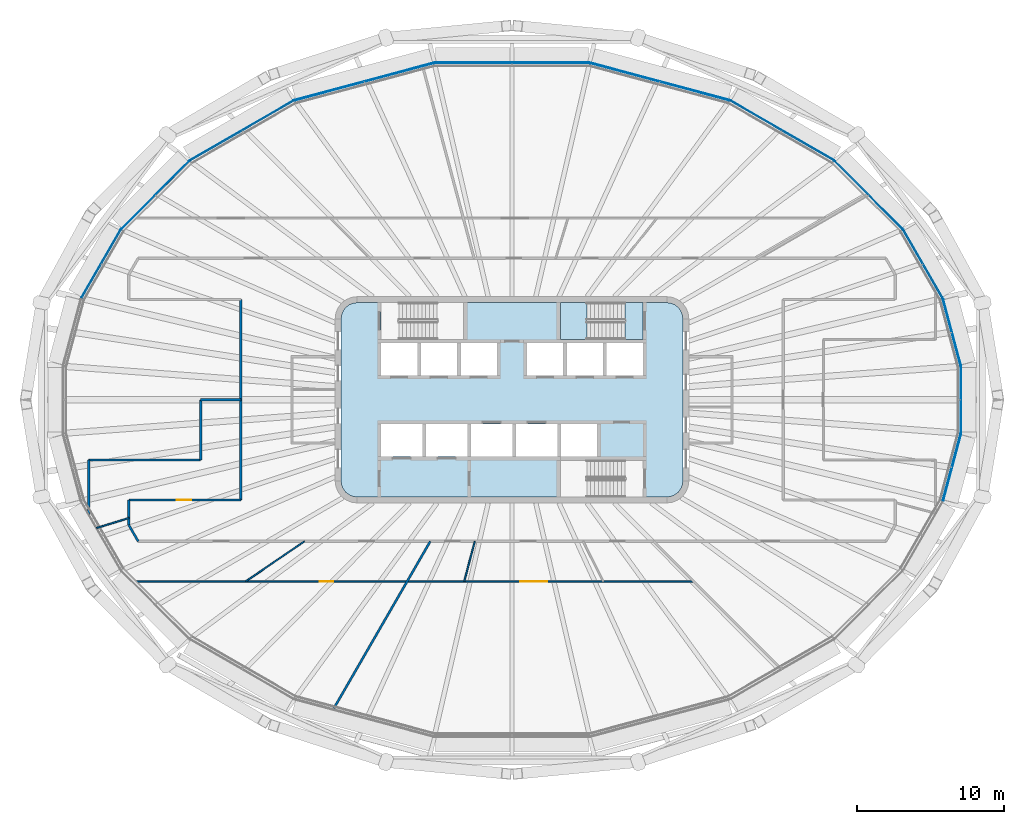
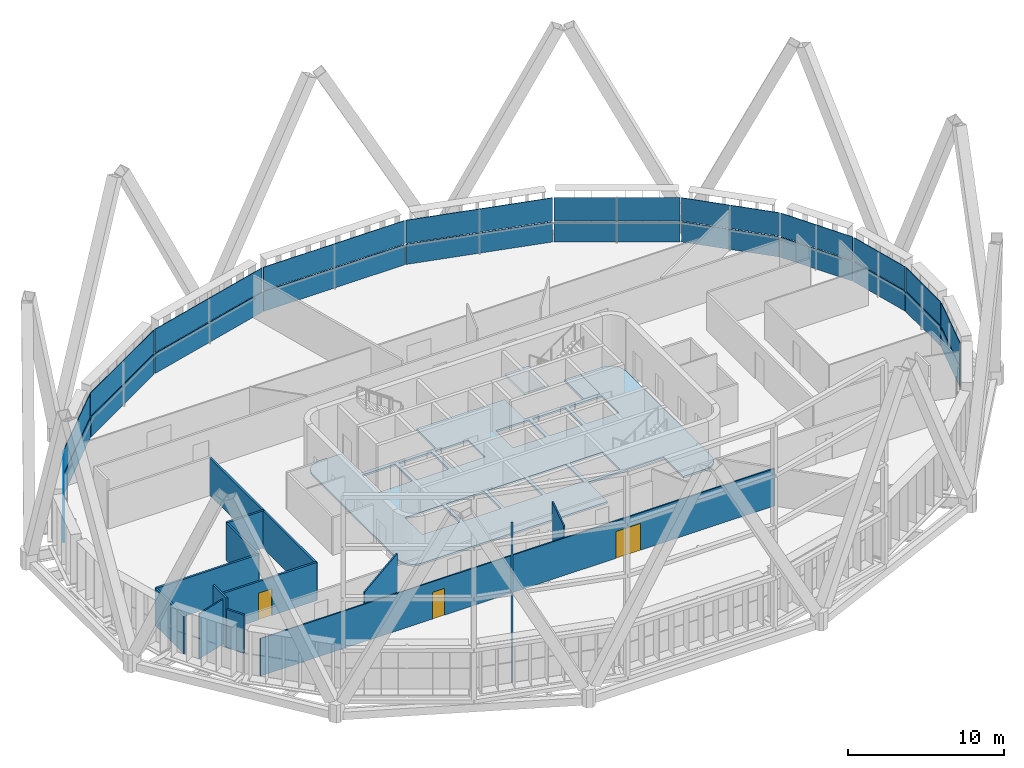
# One storey, part 12 of 22: 24 plates, 13 walls, 3 doors, 3 slabs, 3 openings, 13 elements without a shape of their own.
"""IFC4 building model written with IfcOpenShell, lengths in metres."""

from ifc_helpers import new_model, si_unit, direction, frame, frame_2d, origin, place, context, subcontext, project, spatial, polyline, rectangle, outline, extrude, material, layer, layer_set, type_object, element, fill, aggregate, save


model = new_model("IFC4")

# Units and contexts
model_context = context("Model", 3, precision=1e-05, world=origin(), true_north=direction((0.0, 1.0)))
body_context = subcontext(model_context, "Body", "Model", "MODEL_VIEW")
ifc_project = project(units=[si_unit("LENGTHUNIT", "METRE"), si_unit("AREAUNIT", "SQUARE_METRE"), si_unit("VOLUMEUNIT", "CUBIC_METRE"), si_unit("PLANEANGLEUNIT", "RADIAN"), si_unit("MASSUNIT", "GRAM", prefix="KILO")], contexts=[model_context])

# Site, building, storey
site_placement = place(None, origin())
site = spatial("IfcSite", under=ifc_project, at=site_placement, CompositionType="ELEMENT")
building_placement = place(site_placement, origin())
building = spatial("IfcBuilding", under=site, at=building_placement, Name="Sahrelin Media Tower", CompositionType="ELEMENT")
storey_placement = place(building_placement, frame((0.0, 0.0, 233.60009765625)))
storey = spatial("IfcBuildingStorey", under=building, at=storey_placement, Name="L50", CompositionType="ELEMENT", Elevation=233.60009765625)

# Slab
ifc_material_1 = material(Name="Concrete C40/50", Category="concrete")
ifc_layer_1 = layer(ifc_material_1, 0.14990234375)
ifc_layer_set_1 = layer_set([ifc_layer_1], Name="Core floor slab 150")
slab_type_1 = type_object("IfcSlabType", Name="Core floor slab 150", PredefinedType="FLOOR", material=ifc_layer_set_1)
slab_1_placement = place(storey_placement, frame((0.0, 0.0, -0.150146484375)))
element("IfcSlab", 1, at=slab_1_placement, inside=storey, type_object=slab_type_1, Name="Core floor", PredefinedType="FLOOR", context=body_context, shape_type="SweptSolid", body=[
    extrude(outline(polyline([(-11.60009765625, -5.473876953125), (-11.55908203125, -5.78369140625), (-11.44970703125, -6.04833984375), (-11.275390625, -6.275390625), (-11.04833984375, -6.44970703125), (-10.78369140625, -6.55908203125), (-10.473876953125, -6.60009765625), (3.27490234375, -6.60009765625), (3.27490234375, -4.10009765625), (8.875, -4.10009765625), (8.875, -6.60009765625), (10.473876953125, -6.60009765625), (10.78369140625, -6.55908203125), (11.04833984375, -6.44970703125), (11.275390625, -6.275390625), (11.44970703125, -6.04833984375), (11.55908203125, -5.78369140625), (11.60009765625, -5.473876953125), (11.60009765625, 5.473876953125), (11.55908203125, 5.78369140625), (11.44970703125, 6.04833984375), (11.275390625, 6.275390625), (11.04833984375, 6.44970703125), (10.78369140625, 6.55908203125), (10.473876953125, 6.60009765625), (8.875, 6.60009765625), (8.875, 4.10009765625), (3.27490234375, 4.10009765625), (3.27490234375, 6.60009765625), (-3.27490234375, 6.60009765625), (-3.27490234375, 4.10009765625), (-8.875, 4.10009765625), (-8.875, 6.60009765625), (-10.473876953125, 6.60009765625), (-10.78369140625, 6.55908203125), (-11.04833984375, 6.44970703125), (-11.275390625, 6.275390625), (-11.44970703125, 6.04833984375), (-11.55908203125, 5.78369140625), (-11.60009765625, 5.473876953125), (-11.60009765625, -5.473876953125)]), holes=[polyline([(-8.875, 3.85009765625), (-8.875, 1.64990234375), (-6.425048828125, 1.64990234375), (-6.425048828125, 3.85009765625), (-8.875, 3.85009765625)]), polyline([(-3.72509765625, 3.85009765625), (-6.175048828125, 3.85009765625), (-6.175048828125, 1.64990234375), (-3.72509765625, 1.64990234375), (-3.72509765625, 3.85009765625)]), polyline([(-1.02490234375, 1.64990234375), (-1.02490234375, 3.85009765625), (-3.47509765625, 3.85009765625), (-3.47509765625, 1.64990234375), (-1.02490234375, 1.64990234375)]), polyline([(1.02490234375, 1.64990234375), (3.47509765625, 1.64990234375), (3.47509765625, 3.85009765625), (1.02490234375, 3.85009765625), (1.02490234375, 1.64990234375)]), polyline([(3.72509765625, 3.85009765625), (3.72509765625, 1.64990234375), (6.175048828125, 1.64990234375), (6.175048828125, 3.85009765625), (3.72509765625, 3.85009765625)]), polyline([(8.875, 3.85009765625), (6.425048828125, 3.85009765625), (6.425048828125, 1.64990234375), (8.875, 1.64990234375), (8.875, 3.85009765625)]), polyline([(-6.074951171875, -3.85009765625), (-6.074951171875, -1.64990234375), (-8.875, -1.64990234375), (-8.875, -3.85009765625), (-6.074951171875, -3.85009765625)]), polyline([(-5.824951171875, -3.85009765625), (-3.02490234375, -3.85009765625), (-3.02490234375, -1.64990234375), (-5.824951171875, -1.64990234375), (-5.824951171875, -3.85009765625)]), polyline([(-2.77490234375, -1.64990234375), (-2.77490234375, -3.85009765625), (0.02490234375, -3.85009765625), (0.02490234375, -1.64990234375), (-2.77490234375, -1.64990234375)]), polyline([(3.074951171875, -1.64990234375), (0.27490234375, -1.64990234375), (0.27490234375, -3.85009765625), (3.074951171875, -3.85009765625), (3.074951171875, -1.64990234375)]), polyline([(5.77490234375, -3.85009765625), (5.77490234375, -1.64990234375), (3.324951171875, -1.64990234375), (3.324951171875, -3.85009765625), (5.77490234375, -3.85009765625)])]), origin(), (0.0, 0.0, 1.0), 0.150146484375),
])

# Curtain wall, plate
ifc_material_2 = material(Name="Champagne anodised aluminium 6063-T6", Category="aluminium")
ifc_layer_2 = layer(ifc_material_2, 0.14990234375)
ifc_layer_set_2 = layer_set([ifc_layer_2], Name="Tower ribbon curtain wall")
curtain_wall_type = type_object("IfcCurtainWallType", Name="Tower ribbon curtain wall", PredefinedType="NOTDEFINED", material=ifc_layer_set_2)
curtain_wall_1_placement = place(storey_placement, frame((30.474853515625, 0.0, 0.0), z_axis=(0.0, 0.0, 1.0), x_axis=(1.0, 0.0, 0.0)))
curtain_wall_1 = element("IfcCurtainWall", 2, at=curtain_wall_1_placement, inside=storey, type_object=curtain_wall_type, Name="L50:CW:L50-00", PredefinedType="NOTDEFINED")
ifc_material_3 = material(Name="Clear low-iron glazing", Category="glass")
ifc_layer_3 = layer(ifc_material_3, 0.0439453125)
ifc_layer_set_3 = layer_set([ifc_layer_3], Name="Glazing panel 44 mm CW1B")
plate_type_1 = type_object("IfcPlateType", Name="Glazing panel 44 mm CW1B", PredefinedType="CURTAIN_PANEL", material=ifc_layer_set_3)
plate_1_placement = place(storey_placement, frame((30.494873046875, -2.226318359375, 1.6298828125), z_axis=(1.0, 0.0, 0.0), x_axis=(0.0, 1.0, 0.0)))
plate_1 = element("IfcPlate", 3, at=plate_1_placement, type_object=plate_type_1, Name="L50:CWP2:L50-00", PredefinedType="CURTAIN_PANEL", context=body_context, shape_type="SweptSolid", body=[
    extrude(outline(polyline([(0.0, 0.0), (4.45263671875, 0.0), (4.45263671875, 1.818603515625), (0.0, 1.818603515625), (0.0, 0.0)])), origin(), (0.0, 0.0, -1.0), 0.0439453125),
])

curtain_wall_2_placement = place(storey_placement, frame((29.858642578125, 4.576171875, 0.0), z_axis=(0.0, 0.0, 1.0), x_axis=(1.0, 0.0, 0.0)))
curtain_wall_2 = element("IfcCurtainWall", 4, at=curtain_wall_2_placement, inside=storey, type_object=curtain_wall_type, Name="L50:CW:L50-01", PredefinedType="NOTDEFINED")
plate_2_placement = place(storey_placement, frame((30.481201171875, 2.329833984375, 1.6298828125), z_axis=(0.965939636651, 0.258767498628, 0.0), x_axis=(-0.258767498628, 0.965939636651, 0.0)))
plate_2 = element("IfcPlate", 5, at=plate_2_placement, type_object=plate_type_1, Name="L50:CWP2:L50-01", PredefinedType="CURTAIN_PANEL", context=body_context, shape_type="SweptSolid", body=[
    extrude(outline(polyline([(0.0, 0.0), (4.66162109375, 0.0), (4.66162109375, 1.818603515625), (0.0, 1.818603515625), (0.0, 0.0)])), origin(), (0.0, 0.0, -1.0), 0.0439453125),
])

curtain_wall_3_placement = place(storey_placement, frame((27.887939453125, 9.2216796875, 0.0), z_axis=(0.0, 0.0, 1.0), x_axis=(1.0, 0.0, 0.0)))
curtain_wall_3 = element("IfcCurtainWall", 6, at=curtain_wall_3_placement, inside=storey, type_object=curtain_wall_type, Name="L50:CW:L50-02", PredefinedType="NOTDEFINED")
plate_3_placement = place(storey_placement, frame((29.23486328125, 6.92919921875, 1.6298828125), z_axis=(0.866008217664, 0.500029766052, 0.0), x_axis=(-0.500029766052, 0.866008217664, 0.0)))
plate_3 = element("IfcPlate", 7, at=plate_3_placement, type_object=plate_type_1, Name="L50:CWP2:L50-02", PredefinedType="CURTAIN_PANEL", context=body_context, shape_type="SweptSolid", body=[
    extrude(outline(polyline([(0.0, 0.0), (5.318115234375, 0.0), (5.318115234375, 1.818603515625), (0.0, 1.818603515625), (0.0, 0.0)])), origin(), (0.0, 0.0, -1.0), 0.0439453125),
])

curtain_wall_4_placement = place(storey_placement, frame((24.206298828125, 13.895263671875, 0.0), z_axis=(0.0, 0.0, 1.0), x_axis=(1.0, 0.0, 0.0)))
curtain_wall_4 = element("IfcCurtainWall", 8, at=curtain_wall_4_placement, inside=storey, type_object=curtain_wall_type, Name="L50:CW:L50-03", PredefinedType="NOTDEFINED")
plate_4_placement = place(storey_placement, frame((26.51220703125, 11.617431640625, 1.6298828125), z_axis=(0.707125611507, 0.707087950365, 0.0), x_axis=(-0.707087950365, 0.707125611507, 0.0)))
plate_4 = element("IfcPlate", 9, at=plate_4_placement, type_object=plate_type_1, Name="L50:CWP2:L50-03", PredefinedType="CURTAIN_PANEL", context=body_context, shape_type="SweptSolid", body=[
    extrude(outline(polyline([(0.0, 0.0), (6.482666015625, 0.0), (6.482666015625, 1.818603515625), (0.0, 1.818603515625), (0.0, 0.0)])), origin(), (0.0, 0.0, -1.0), 0.0439453125),
])

curtain_wall_5_placement = place(storey_placement, frame((18.326416015625, 18.273681640625, 0.0), z_axis=(0.0, 0.0, 1.0), x_axis=(1.0, 0.0, 0.0)))
curtain_wall_5 = element("IfcCurtainWall", 10, at=curtain_wall_5_placement, inside=storey, type_object=curtain_wall_type, Name="L50:CW:L50-04", PredefinedType="NOTDEFINED")
plate_5_placement = place(storey_placement, frame((21.845703125, 16.264892578125, 1.6298828125), z_axis=(0.4999849629, 0.866034085284, 0.0), x_axis=(-0.866034085284, 0.4999849629, 0.0)))
plate_5 = element("IfcPlate", 11, at=plate_5_placement, type_object=plate_type_1, Name="L50:CWP2:L50-04", PredefinedType="CURTAIN_PANEL", context=body_context, shape_type="SweptSolid", body=[
    extrude(outline(polyline([(0.0, 0.0), (8.104248046875, 0.0), (8.104248046875, 1.818603515625), (0.0, 1.818603515625), (0.0, 0.0)])), origin(), (0.0, 0.0, -1.0), 0.0439453125),
])

curtain_wall_6_placement = place(storey_placement, frame((10.025634765625, 21.596923828125, 0.0), z_axis=(0.0, 0.0, 1.0), x_axis=(1.0, 0.0, 0.0)))
curtain_wall_6 = element("IfcCurtainWall", 12, at=curtain_wall_6_placement, inside=storey, type_object=curtain_wall_type, Name="L50:CW:L50-05", PredefinedType="NOTDEFINED")
plate_6_placement = place(storey_placement, frame((14.730712890625, 20.35693359375, 1.6298828125), z_axis=(0.258811745197, 0.965927782263, 0.0), x_axis=(-0.965927782263, 0.258811745197, 0.0)))
plate_6 = element("IfcPlate", 13, at=plate_6_placement, type_object=plate_type_1, Name="L50:CWP2:L50-05", PredefinedType="CURTAIN_PANEL", context=body_context, shape_type="SweptSolid", body=[
    extrude(outline(polyline([(0.0, 0.0), (9.731201171875, 0.0), (9.731201171875, 1.818603515625), (0.0, 1.818603515625), (0.0, 0.0)])), origin(), (0.0, 0.0, -1.0), 0.0439453125),
])

curtain_wall_7_placement = place(storey_placement, frame((0.0, 22.869140625, 0.0), z_axis=(0.0, 0.0, 1.0), x_axis=(1.0, 0.0, 0.0)))
curtain_wall_7 = element("IfcCurtainWall", 14, at=curtain_wall_7_placement, inside=storey, type_object=curtain_wall_type, Name="L50:CW:L50-06", PredefinedType="NOTDEFINED")
plate_7_placement = place(storey_placement, frame((5.2275390625, 22.88916015625, 1.6298828125), z_axis=(0.0, 1.0, 0.0), x_axis=(-1.0, 0.0, 0.0)))
plate_7 = element("IfcPlate", 15, at=plate_7_placement, type_object=plate_type_1, Name="L50:CWP2:L50-06", PredefinedType="CURTAIN_PANEL", context=body_context, shape_type="SweptSolid", body=[
    extrude(outline(polyline([(0.0, 0.0), (10.455078125, 0.0), (10.455078125, 1.818603515625), (0.0, 1.818603515625), (0.0, 0.0)])), origin(), (0.0, 0.0, -1.0), 0.0439453125),
])

curtain_wall_8_placement = place(storey_placement, frame((-10.025634765625, 21.596923828125, 0.0), z_axis=(0.0, 0.0, 1.0), x_axis=(1.0, 0.0, 0.0)))
curtain_wall_8 = element("IfcCurtainWall", 16, at=curtain_wall_8_placement, inside=storey, type_object=curtain_wall_type, Name="L50:CW:L50-07", PredefinedType="NOTDEFINED")
plate_8_placement = place(storey_placement, frame((-5.3310546875, 22.87548828125, 1.6298828125), z_axis=(-0.258811745197, 0.965927782263, 0.0), x_axis=(-0.965927782263, -0.258811745197, 0.0)))
plate_8 = element("IfcPlate", 17, at=plate_8_placement, type_object=plate_type_1, Name="L50:CWP2:L50-07", PredefinedType="CURTAIN_PANEL", context=body_context, shape_type="SweptSolid", body=[
    extrude(outline(polyline([(0.0, 0.0), (9.731201171875, 0.0), (9.731201171875, 1.818603515625), (0.0, 1.818603515625), (0.0, 0.0)])), origin(), (0.0, 0.0, -1.0), 0.0439453125),
])

curtain_wall_9_placement = place(storey_placement, frame((-18.326416015625, 18.273681640625, 0.0), z_axis=(0.0, 0.0, 1.0), x_axis=(1.0, 0.0, 0.0)))
curtain_wall_9 = element("IfcCurtainWall", 18, at=curtain_wall_9_placement, inside=storey, type_object=curtain_wall_type, Name="L50:CW:L50-08", PredefinedType="NOTDEFINED")
plate_9_placement = place(storey_placement, frame((-14.8271484375, 20.31689453125, 1.6298828125), z_axis=(-0.4999849629, 0.866034085284, 0.0), x_axis=(-0.866034085284, -0.4999849629, 0.0)))
plate_9 = element("IfcPlate", 19, at=plate_9_placement, type_object=plate_type_1, Name="L50:CWP2:L50-08", PredefinedType="CURTAIN_PANEL", context=body_context, shape_type="SweptSolid", body=[
    extrude(outline(polyline([(0.0, 0.0), (8.104248046875, 0.0), (8.104248046875, 1.818603515625), (0.0, 1.818603515625), (0.0, 0.0)])), origin(), (0.0, 0.0, -1.0), 0.0439453125),
])

curtain_wall_10_placement = place(storey_placement, frame((-24.206298828125, 13.895263671875, 0.0), z_axis=(0.0, 0.0, 1.0), x_axis=(1.0, 0.0, 0.0)))
curtain_wall_10 = element("IfcCurtainWall", 20, at=curtain_wall_10_placement, inside=storey, type_object=curtain_wall_type, Name="L50:CW:L50-09", PredefinedType="NOTDEFINED")
plate_10_placement = place(storey_placement, frame((-21.928466796875, 16.201416015625, 1.6298828125), z_axis=(-0.707125611507, 0.707087950365, 0.0), x_axis=(-0.707087950365, -0.707125611507, 0.0)))
plate_10 = element("IfcPlate", 21, at=plate_10_placement, type_object=plate_type_1, Name="L50:CWP2:L50-09", PredefinedType="CURTAIN_PANEL", context=body_context, shape_type="SweptSolid", body=[
    extrude(outline(polyline([(0.0, 0.0), (6.482666015625, 0.0), (6.482666015625, 1.818603515625), (0.0, 1.818603515625), (0.0, 0.0)])), origin(), (0.0, 0.0, -1.0), 0.0439453125),
])

curtain_wall_11_placement = place(storey_placement, frame((-27.887939453125, 9.221923828125, 0.0), z_axis=(0.0, 0.0, 1.0), x_axis=(1.0, 0.0, 0.0)))
curtain_wall_11 = element("IfcCurtainWall", 22, at=curtain_wall_11_placement, inside=storey, type_object=curtain_wall_type, Name="L50:CW:L50-10", PredefinedType="NOTDEFINED")
plate_11_placement = place(storey_placement, frame((-26.57568359375, 11.53466796875, 1.6298828125), z_axis=(-0.866008217664, 0.500029766052, 0.0), x_axis=(-0.500029766052, -0.866008217664, 0.0)))
plate_11 = element("IfcPlate", 23, at=plate_11_placement, type_object=plate_type_1, Name="L50:CWP2:L50-10", PredefinedType="CURTAIN_PANEL", context=body_context, shape_type="SweptSolid", body=[
    extrude(outline(polyline([(0.0, 0.0), (5.318115234375, 0.0), (5.318115234375, 1.818603515625), (0.0, 1.818603515625), (0.0, 0.0)])), origin(), (0.0, 0.0, -1.0), 0.0439453125),
])

curtain_wall_12_placement = place(storey_placement, frame((29.858642578125, -4.576171875, 0.0), z_axis=(0.0, 0.0, 1.0), x_axis=(1.0, 0.0, 0.0)))
curtain_wall_12 = element("IfcCurtainWall", 24, at=curtain_wall_12_placement, inside=storey, type_object=curtain_wall_type, Name="L50:CW:L50-23", PredefinedType="NOTDEFINED")
plate_12_placement = place(storey_placement, frame((29.27490234375, -6.832763671875, 1.6298828125), z_axis=(0.965939636651, -0.258767498628, 0.0), x_axis=(0.258767498628, 0.965939636651, 0.0)))
plate_12 = element("IfcPlate", 25, at=plate_12_placement, type_object=plate_type_1, Name="L50:CWP2:L50-23", PredefinedType="CURTAIN_PANEL", context=body_context, shape_type="SweptSolid", body=[
    extrude(outline(polyline([(0.0, 0.0), (4.66162109375, 0.0), (4.66162109375, 1.818603515625), (0.0, 1.818603515625), (0.0, 0.0)])), origin(), (0.0, 0.0, -1.0), 0.0439453125),
])

# Plate
ifc_material_4 = material(Name="Insulated spandrel panel")
ifc_layer_4 = layer(ifc_material_4, 0.06005859375)
ifc_layer_set_4 = layer_set([ifc_layer_4], Name="Spandrel panel 60 mm CW1")
plate_type_2 = type_object("IfcPlateType", Name="Spandrel panel 60 mm CW1", PredefinedType="SHEET", material=ifc_layer_set_4)
plate_13_placement = place(storey_placement, frame((30.494873046875, -2.226318359375, 0.0), z_axis=(1.0, 0.0, 0.0), x_axis=(0.0, 1.0, 0.0)))
plate_13 = element("IfcPlate", 26, at=plate_13_placement, type_object=plate_type_2, Name="L50:CWP1:L50-00", PredefinedType="SHEET", context=body_context, shape_type="SweptSolid", body=[
    extrude(outline(polyline([(0.0, 0.0), (4.45263671875, 0.0), (4.45263671875, 1.56982421875), (0.0, 1.56982421875), (0.0, 0.0)])), origin(), (0.0, 0.0, -1.0), 0.06005859375),
])

aggregate(curtain_wall_1, [plate_13, plate_1])

plate_14_placement = place(storey_placement, frame((30.481201171875, 2.329833984375, 0.0), z_axis=(0.965939636651, 0.258767498628, 0.0), x_axis=(-0.258767498628, 0.965939636651, 0.0)))
plate_14 = element("IfcPlate", 27, at=plate_14_placement, type_object=plate_type_2, Name="L50:CWP1:L50-01", PredefinedType="SHEET", context=body_context, shape_type="SweptSolid", body=[
    extrude(outline(polyline([(0.0, 0.0), (4.66162109375, 0.0), (4.66162109375, 1.56982421875), (0.0, 1.56982421875), (0.0, 0.0)])), origin(), (0.0, 0.0, -1.0), 0.06005859375),
])

aggregate(curtain_wall_2, [plate_14, plate_2])

plate_15_placement = place(storey_placement, frame((29.23486328125, 6.92919921875, 0.0), z_axis=(0.866008217664, 0.500029766052, 0.0), x_axis=(-0.500029766052, 0.866008217664, 0.0)))
plate_15 = element("IfcPlate", 28, at=plate_15_placement, type_object=plate_type_2, Name="L50:CWP1:L50-02", PredefinedType="SHEET", context=body_context, shape_type="SweptSolid", body=[
    extrude(outline(polyline([(0.0, 0.0), (5.318115234375, 0.0), (5.318115234375, 1.56982421875), (0.0, 1.56982421875), (0.0, 0.0)])), origin(), (0.0, 0.0, -1.0), 0.06005859375),
])

aggregate(curtain_wall_3, [plate_15, plate_3])

plate_16_placement = place(storey_placement, frame((26.51220703125, 11.617431640625, 0.0), z_axis=(0.707125611507, 0.707087950365, 0.0), x_axis=(-0.707087950365, 0.707125611507, 0.0)))
plate_16 = element("IfcPlate", 29, at=plate_16_placement, type_object=plate_type_2, Name="L50:CWP1:L50-03", PredefinedType="SHEET", context=body_context, shape_type="SweptSolid", body=[
    extrude(outline(polyline([(0.0, 0.0), (6.482666015625, 0.0), (6.482666015625, 1.56982421875), (0.0, 1.56982421875), (0.0, 0.0)])), origin(), (0.0, 0.0, -1.0), 0.06005859375),
])

aggregate(curtain_wall_4, [plate_16, plate_4])

plate_17_placement = place(storey_placement, frame((21.845703125, 16.264892578125, 0.0), z_axis=(0.4999849629, 0.866034085284, 0.0), x_axis=(-0.866034085284, 0.4999849629, 0.0)))
plate_17 = element("IfcPlate", 30, at=plate_17_placement, type_object=plate_type_2, Name="L50:CWP1:L50-04", PredefinedType="SHEET", context=body_context, shape_type="SweptSolid", body=[
    extrude(outline(polyline([(0.0, 0.0), (8.104248046875, 0.0), (8.104248046875, 1.56982421875), (0.0, 1.56982421875), (0.0, 0.0)])), origin(), (0.0, 0.0, -1.0), 0.06005859375),
])

aggregate(curtain_wall_5, [plate_17, plate_5])

plate_18_placement = place(storey_placement, frame((14.730712890625, 20.35693359375, 0.0), z_axis=(0.258811745197, 0.965927782263, 0.0), x_axis=(-0.965927782263, 0.258811745197, 0.0)))
plate_18 = element("IfcPlate", 31, at=plate_18_placement, type_object=plate_type_2, Name="L50:CWP1:L50-05", PredefinedType="SHEET", context=body_context, shape_type="SweptSolid", body=[
    extrude(outline(polyline([(0.0, 0.0), (9.731201171875, 0.0), (9.731201171875, 1.56982421875), (0.0, 1.56982421875), (0.0, 0.0)])), origin(), (0.0, 0.0, -1.0), 0.06005859375),
])

aggregate(curtain_wall_6, [plate_18, plate_6])

plate_19_placement = place(storey_placement, frame((5.2275390625, 22.88916015625, 0.0), z_axis=(0.0, 1.0, 0.0), x_axis=(-1.0, 0.0, 0.0)))
plate_19 = element("IfcPlate", 32, at=plate_19_placement, type_object=plate_type_2, Name="L50:CWP1:L50-06", PredefinedType="SHEET", context=body_context, shape_type="SweptSolid", body=[
    extrude(outline(polyline([(0.0, 0.0), (10.455078125, 0.0), (10.455078125, 1.56982421875), (0.0, 1.56982421875), (0.0, 0.0)])), origin(), (0.0, 0.0, -1.0), 0.06005859375),
])

aggregate(curtain_wall_7, [plate_19, plate_7])

plate_20_placement = place(storey_placement, frame((-5.3310546875, 22.87548828125, 0.0), z_axis=(-0.258811745197, 0.965927782263, 0.0), x_axis=(-0.965927782263, -0.258811745197, 0.0)))
plate_20 = element("IfcPlate", 33, at=plate_20_placement, type_object=plate_type_2, Name="L50:CWP1:L50-07", PredefinedType="SHEET", context=body_context, shape_type="SweptSolid", body=[
    extrude(outline(polyline([(0.0, 0.0), (9.731201171875, 0.0), (9.731201171875, 1.56982421875), (0.0, 1.56982421875), (0.0, 0.0)])), origin(), (0.0, 0.0, -1.0), 0.06005859375),
])

aggregate(curtain_wall_8, [plate_20, plate_8])

plate_21_placement = place(storey_placement, frame((-14.8271484375, 20.31689453125, 0.0), z_axis=(-0.4999849629, 0.866034085284, 0.0), x_axis=(-0.866034085284, -0.4999849629, 0.0)))
plate_21 = element("IfcPlate", 34, at=plate_21_placement, type_object=plate_type_2, Name="L50:CWP1:L50-08", PredefinedType="SHEET", context=body_context, shape_type="SweptSolid", body=[
    extrude(outline(polyline([(0.0, 0.0), (8.104248046875, 0.0), (8.104248046875, 1.56982421875), (0.0, 1.56982421875), (0.0, 0.0)])), origin(), (0.0, 0.0, -1.0), 0.06005859375),
])

aggregate(curtain_wall_9, [plate_21, plate_9])

plate_22_placement = place(storey_placement, frame((-21.928466796875, 16.201416015625, 0.0), z_axis=(-0.707125611507, 0.707087950365, 0.0), x_axis=(-0.707087950365, -0.707125611507, 0.0)))
plate_22 = element("IfcPlate", 35, at=plate_22_placement, type_object=plate_type_2, Name="L50:CWP1:L50-09", PredefinedType="SHEET", context=body_context, shape_type="SweptSolid", body=[
    extrude(outline(polyline([(0.0, 0.0), (6.482666015625, 0.0), (6.482666015625, 1.56982421875), (0.0, 1.56982421875), (0.0, 0.0)])), origin(), (0.0, 0.0, -1.0), 0.06005859375),
])

aggregate(curtain_wall_10, [plate_22, plate_10])

plate_23_placement = place(storey_placement, frame((-26.57568359375, 11.53466796875, 0.0), z_axis=(-0.866008217664, 0.500029766052, 0.0), x_axis=(-0.500029766052, -0.866008217664, 0.0)))
plate_23 = element("IfcPlate", 36, at=plate_23_placement, type_object=plate_type_2, Name="L50:CWP1:L50-10", PredefinedType="SHEET", context=body_context, shape_type="SweptSolid", body=[
    extrude(outline(polyline([(0.0, 0.0), (5.318115234375, 0.0), (5.318115234375, 1.56982421875), (0.0, 1.56982421875), (0.0, 0.0)])), origin(), (0.0, 0.0, -1.0), 0.06005859375),
])

aggregate(curtain_wall_11, [plate_23, plate_11])

plate_24_placement = place(storey_placement, frame((29.27490234375, -6.832763671875, 0.0), z_axis=(0.965939636651, -0.258767498628, 0.0), x_axis=(0.258767498628, 0.965939636651, 0.0)))
plate_24 = element("IfcPlate", 37, at=plate_24_placement, type_object=plate_type_2, Name="L50:CWP1:L50-23", PredefinedType="SHEET", context=body_context, shape_type="SweptSolid", body=[
    extrude(outline(polyline([(0.0, 0.0), (4.66162109375, 0.0), (4.66162109375, 1.56982421875), (0.0, 1.56982421875), (0.0, 0.0)])), origin(), (0.0, 0.0, -1.0), 0.06005859375),
])

aggregate(curtain_wall_12, [plate_24, plate_12])

# Stair, slabs
stair_type = type_object("IfcStairType", Name="Exit stair 1200", PredefinedType="HALF_TURN_STAIR", material=ifc_material_1)
stair_placement = place(storey_placement, origin())
stair = element("IfcStair", 38, at=stair_placement, inside=storey, type_object=stair_type, Name="L50 Exit stair ST3", PredefinedType="HALF_TURN_STAIR")
ifc_layer_5 = layer(ifc_material_1, 0.199951171875)
ifc_layer_set_5 = layer_set([ifc_layer_5], Name="Stair landing 200")
slab_type_2 = type_object("IfcSlabType", Name="Stair landing 200", PredefinedType="LANDING", material=ifc_layer_set_5)
slab_2_placement = place(storey_placement, frame((0.0, 0.0, 1.7998046875)))
slab_2 = element("IfcSlab", 39, at=slab_2_placement, type_object=slab_type_2, Name="ST3 landing 1", PredefinedType="LANDING", context=body_context, shape_type="SweptSolid", body=[
    extrude(outline(polyline([(5.074951171875, 6.60009765625), (3.27490234375, 6.60009765625), (3.27490234375, 4.10009765625), (5.074951171875, 4.10009765625), (5.074951171875, 6.60009765625)])), origin(), (0.0, 0.0, 1.0), 0.2001953125),
])
slab_3_placement = place(storey_placement, frame((0.0, 0.0, -0.2001953125)))
slab_3 = element("IfcSlab", 40, at=slab_3_placement, type_object=slab_type_2, Name="ST3 landing 2", PredefinedType="LANDING", context=body_context, shape_type="SweptSolid", body=[
    extrude(outline(polyline([(8.875, 6.60009765625), (7.675048828125, 6.60009765625), (7.675048828125, 4.10009765625), (8.875, 4.10009765625), (8.875, 6.60009765625)])), origin(), (0.0, 0.0, 1.0), 0.2001953125),
])
aggregate(stair, [slab_2, slab_3])

# Wall
ifc_material_5 = material(Name="Fire-rated gypsum board partition")
ifc_layer_6 = layer(ifc_material_5, 0.14990234375)
ifc_layer_set_6 = layer_set([ifc_layer_6], Name="Fire-rated partition 150")
wall_type_1 = type_object("IfcWallType", Name="Fire-rated partition 150", PredefinedType="PARTITIONING", material=ifc_layer_set_6)
wall_1_placement = place(storey_placement, frame((-26.0, -8.490966796875, 0.0), z_axis=(0.0, 0.0, 1.0), x_axis=(0.499870984138, -0.866099878315, 0.0)))
element("IfcWall", 41, at=wall_1_placement, inside=storey, type_object=wall_type_1, Name="Wall", PredefinedType="PARTITIONING", context=body_context, shape_type="SweptSolid", body=[
    extrude(rectangle(XDim=1.280517578125, YDim=0.14990234375, at=frame_2d((0.64013671875, 0.0))), origin(), (0.0, 0.0, 1.0), 2.994873046875),
])

# Wall, opening, door
wall_2_placement = place(storey_placement, frame((-26.0, -6.800048828125, 0.0), z_axis=(0.0, 0.0, 1.0), x_axis=(1.0, 0.0, 0.0)))
wall_2 = element("IfcWall", 42, at=wall_2_placement, inside=storey, type_object=wall_type_1, Name="Wall", PredefinedType="PARTITIONING", context=body_context, shape_type="SweptSolid", body=[
    extrude(rectangle(XDim=7.60009765625, YDim=0.14990234375, at=frame_2d((3.800048828125, 0.0))), origin(), (0.0, 0.0, 1.0), 2.994873046875),
])
opening_1_placement = place(wall_2_placement, frame((3.2490234375, 0.0, 0.0)))
opening_1 = element("IfcOpeningElement", 43, at=opening_1_placement, cuts=wall_2, Name="Opening L50-D30", PredefinedType="OPENING", context=body_context, shape_type="SweptSolid", body=[
    extrude(rectangle(XDim=1.0, YDim=2.10009765625, at=frame_2d((0.5, 1.050048828125))), frame((0.0, 0.074951171875, 0.0), z_axis=(0.0, -1.0, 0.0), x_axis=(1.0, 0.0, 0.0)), (0.0, 0.0, 1.0), 0.14990234375),
])
ifc_material_6 = material(Name="Steel fire door leaf", Category="steel")
door_type_1 = type_object("IfcDoorType", Name="Fire door 1000 x 2100 EI 60", OperationType="NOTDEFINED", PredefinedType="DOOR", material=ifc_material_6)
door_1_placement = place(opening_1_placement, origin())
door_1 = element("IfcDoor", 44, at=door_1_placement, inside=storey, type_object=door_type_1, Name="Fire door", OperationType="SINGLE_SWING_LEFT", OverallHeight=2.10009765625, OverallWidth=1.0, PredefinedType="DOOR", context=body_context, shape_type="SweptSolid", body=[
    extrude(rectangle(XDim=1.0, YDim=2.10009765625, at=frame_2d((0.5, 1.050048828125))), frame((0.0, 0.02490234375, 0.0), z_axis=(0.0, -1.0, 0.0), x_axis=(1.0, 0.0, 0.0)), (0.0, 0.0, 1.0), 0.050048828125),
])
fill(opening_1, door_1)

# Walls
wall_3_placement = place(storey_placement, frame((-28.719970703125, -4.080078125, 0.0), z_axis=(0.0, 0.0, 1.0), x_axis=(1.0, 0.0, 0.0)))
element("IfcWall", 45, at=wall_3_placement, inside=storey, type_object=wall_type_1, Name="Wall", PredefinedType="PARTITIONING", context=body_context, shape_type="SweptSolid", body=[
    extrude(rectangle(XDim=7.599853515625, YDim=0.14990234375, at=frame_2d((3.7998046875, 0.0))), origin(), (0.0, 0.0, 1.0), 2.927001953125),
])
wall_4_placement = place(storey_placement, frame((-21.1201171875, 0.0, 0.0), z_axis=(0.0, 0.0, 1.0), x_axis=(1.0, 0.0, 0.0)))
element("IfcWall", 46, at=wall_4_placement, inside=storey, type_object=wall_type_1, Name="Wall", PredefinedType="PARTITIONING", context=body_context, shape_type="SweptSolid", body=[
    extrude(rectangle(XDim=2.72021484375, YDim=0.14990234375, at=frame_2d((1.360107421875, 0.0))), origin(), (0.0, 0.0, 1.0), 2.927001953125),
])
wall_5_placement = place(storey_placement, frame((-12.14208984375, -21.030029296875, 0.0), z_axis=(0.0, 0.0, 1.0), x_axis=(0.499931154021, 0.86606514838, 0.0)))
element("IfcWall", 47, at=wall_5_placement, inside=storey, type_object=wall_type_1, Name="Wall", PredefinedType="PARTITIONING", context=body_context, shape_type="SweptSolid", body=[
    extrude(rectangle(XDim=13.197998046875, YDim=0.14990234375, at=frame_2d((6.59912109375, 0.0))), origin(), (0.0, 0.0, 1.0), 3.301513671875),
])
wall_6_placement = place(storey_placement, frame((-18.39990234375, -6.800048828125, 0.0), z_axis=(0.0, 0.0, 1.0), x_axis=(0.0, 1.0, 0.0)))
element("IfcWall", 48, at=wall_6_placement, inside=storey, type_object=wall_type_1, Name="Wall", PredefinedType="PARTITIONING", context=body_context, shape_type="SweptSolid", body=[
    extrude(rectangle(XDim=13.60009765625, YDim=0.14990234375, at=frame_2d((6.800048828125, 0.0))), origin(), (0.0, 0.0, 1.0), 2.918212890625),
])
wall_7_placement = place(storey_placement, frame((-21.1201171875, -4.080078125, 0.0), z_axis=(0.0, 0.0, 1.0), x_axis=(0.0, 1.0, 0.0)))
element("IfcWall", 49, at=wall_7_placement, inside=storey, type_object=wall_type_1, Name="Wall", PredefinedType="PARTITIONING", context=body_context, shape_type="SweptSolid", body=[
    extrude(rectangle(XDim=4.080078125, YDim=0.14990234375, at=frame_2d((2.0400390625, 0.0))), origin(), (0.0, 0.0, 1.0), 2.918212890625),
])
wall_8_placement = place(storey_placement, frame((-26.0, -8.490966796875, 0.0), z_axis=(0.0, 0.0, 1.0), x_axis=(0.0, 1.0, 0.0)))
element("IfcWall", 50, at=wall_8_placement, inside=storey, type_object=wall_type_1, Name="Wall", PredefinedType="PARTITIONING", context=body_context, shape_type="SweptSolid", body=[
    extrude(rectangle(XDim=1.69091796875, YDim=0.14990234375, at=frame_2d((0.845458984375, 0.0))), origin(), (0.0, 0.0, 1.0), 3.849853515625),
])
wall_9_placement = place(storey_placement, frame((-28.719970703125, -7.780029296875, 0.0), z_axis=(0.0, 0.0, 1.0), x_axis=(0.0, 1.0, 0.0)))
element("IfcWall", 51, at=wall_9_placement, inside=storey, type_object=wall_type_1, Name="Wall", PredefinedType="PARTITIONING", context=body_context, shape_type="SweptSolid", body=[
    extrude(rectangle(XDim=3.699951171875, YDim=0.14990234375, at=frame_2d((1.85009765625, 0.0))), origin(), (0.0, 0.0, 1.0), 2.918212890625),
])

# Wall, openings, doors
ifc_material_7 = material(Name="Gypsum board partition")
ifc_layer_7 = layer(ifc_material_7, 0.10009765625)
ifc_layer_set_7 = layer_set([ifc_layer_7], Name="Partition 100")
wall_type_2 = type_object("IfcWallType", Name="Partition 100", PredefinedType="PARTITIONING", material=ifc_layer_set_7)
wall_10_placement = place(storey_placement, frame((-25.781005859375, -12.320068359375, 0.0), z_axis=(0.0, 0.0, 1.0), x_axis=(1.0, 0.0, 0.0)))
wall_10 = element("IfcWall", 52, at=wall_10_placement, inside=storey, type_object=wall_type_2, Name="Wall", PredefinedType="PARTITIONING", context=body_context, shape_type="SweptSolid", body=[
    extrude(rectangle(XDim=38.10107421875, YDim=0.10009765625, at=frame_2d((19.050537109375, 0.0))), origin(), (0.0, 0.0, 1.0), 2.927001953125),
])
opening_2_placement = place(wall_10_placement, frame((26.3564453125, 0.0, 0.0)))
opening_2 = element("IfcOpeningElement", 53, at=opening_2_placement, cuts=wall_10, Name="Opening L50-D19", PredefinedType="OPENING", context=body_context, shape_type="SweptSolid", body=[
    extrude(rectangle(XDim=1.800048828125, YDim=2.10009765625, at=frame_2d((0.89990234375, 1.050048828125))), frame((0.0, 0.050048828125, 0.0), z_axis=(0.0, -1.0, 0.0), x_axis=(1.0, 0.0, 0.0)), (0.0, 0.0, 1.0), 0.10009765625),
])
opening_3_placement = place(wall_10_placement, frame((12.739501953125, 0.0, 0.0)))
opening_3 = element("IfcOpeningElement", 54, at=opening_3_placement, cuts=wall_10, Name="Opening L50-D33", PredefinedType="OPENING", context=body_context, shape_type="SweptSolid", body=[
    extrude(rectangle(XDim=0.89990234375, YDim=2.10009765625, at=frame_2d((0.449951171875, 1.050048828125))), frame((0.0, 0.050048828125, 0.0), z_axis=(0.0, -1.0, 0.0), x_axis=(1.0, 0.0, 0.0)), (0.0, 0.0, 1.0), 0.10009765625),
])
ifc_material_8 = material(Name="Timber door leaf", Category="wood")
door_type_2 = type_object("IfcDoorType", Name="Double door 1800 x 2100", OperationType="DOUBLE_DOOR_SINGLE_SWING", PredefinedType="DOOR", material=ifc_material_8)
door_2_placement = place(opening_2_placement, origin())
door_2 = element("IfcDoor", 55, at=door_2_placement, inside=storey, type_object=door_type_2, Name="Double door", OperationType="DOUBLE_DOOR_SINGLE_SWING", OverallHeight=2.10009765625, OverallWidth=1.800048828125, PredefinedType="DOOR", context=body_context, shape_type="SweptSolid", body=[
    extrude(rectangle(XDim=1.800048828125, YDim=2.10009765625, at=frame_2d((0.89990234375, 1.050048828125))), frame((0.0, 0.02490234375, 0.0), z_axis=(0.0, -1.0, 0.0), x_axis=(1.0, 0.0, 0.0)), (0.0, 0.0, 1.0), 0.050048828125),
])
fill(opening_2, door_2)
door_type_3 = type_object("IfcDoorType", Name="Single door 900 x 2100", OperationType="NOTDEFINED", PredefinedType="DOOR", material=ifc_material_8)
door_3_placement = place(opening_3_placement, origin())
door_3 = element("IfcDoor", 56, at=door_3_placement, inside=storey, type_object=door_type_3, Name="Single door", OperationType="SINGLE_SWING_LEFT", OverallHeight=2.10009765625, OverallWidth=0.89990234375, PredefinedType="DOOR", context=body_context, shape_type="SweptSolid", body=[
    extrude(rectangle(XDim=0.89990234375, YDim=2.10009765625, at=frame_2d((0.449951171875, 1.050048828125))), frame((0.0, 0.02490234375, 0.0), z_axis=(0.0, -1.0, 0.0), x_axis=(1.0, 0.0, 0.0)), (0.0, 0.0, 1.0), 0.050048828125),
])
fill(opening_3, door_3)

# Walls
wall_11_placement = place(storey_placement, frame((-28.19091796875, -8.696044921875, 0.0), z_axis=(0.0, 0.0, 1.0), x_axis=(0.955546181959, 0.294841472904, 0.0)))
element("IfcWall", 57, at=wall_11_placement, inside=storey, type_object=wall_type_2, Name="Wall", PredefinedType="PARTITIONING", context=body_context, shape_type="SweptSolid", body=[
    extrude(rectangle(XDim=2.292724609375, YDim=0.10009765625, at=frame_2d((1.146484375, 0.0))), origin(), (0.0, 0.0, 1.0), 3.526611328125),
])
wall_12_placement = place(storey_placement, frame((-18.070068359375, -12.320068359375, 0.0), z_axis=(0.0, 0.0, 1.0), x_axis=(0.826209155485, 0.563363498455, 0.0)))
element("IfcWall", 58, at=wall_12_placement, inside=storey, type_object=wall_type_2, Name="Wall", PredefinedType="PARTITIONING", context=body_context, shape_type="SweptSolid", body=[
    extrude(rectangle(XDim=4.828125, YDim=0.10009765625, at=frame_2d((2.4140625, 0.0))), origin(), (0.0, 0.0, 1.0), 3.849853515625),
])
wall_13_placement = place(storey_placement, frame((-3.239990234375, -12.320068359375, 0.0), z_axis=(0.0, 0.0, 1.0), x_axis=(0.254262551931, 0.967135230816, 0.0)))
element("IfcWall", 59, at=wall_13_placement, inside=storey, type_object=wall_type_2, Name="Wall", PredefinedType="PARTITIONING", context=body_context, shape_type="SweptSolid", body=[
    extrude(rectangle(XDim=2.8125, YDim=0.10009765625, at=frame_2d((1.40625, 0.0))), origin(), (0.0, 0.0, 1.0), 3.849853515625),
])

save(model, "model.ifc")
